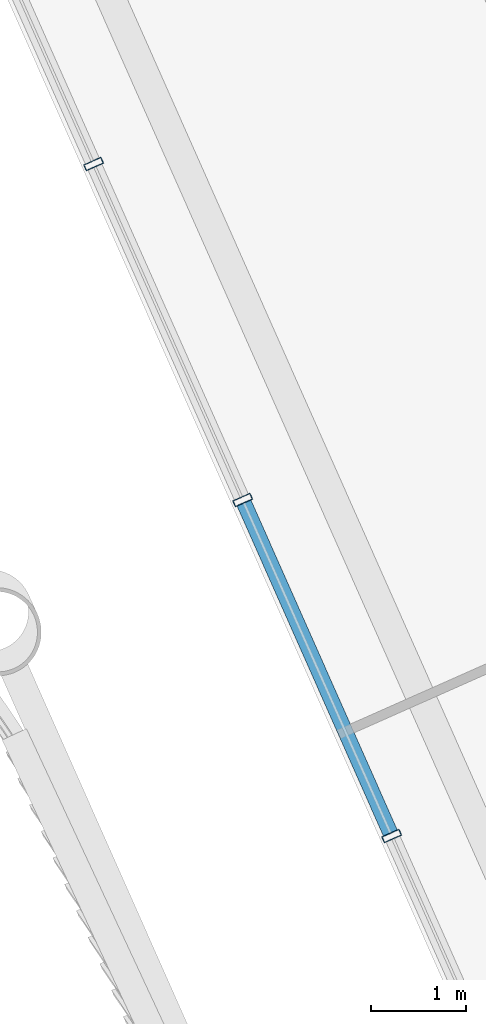
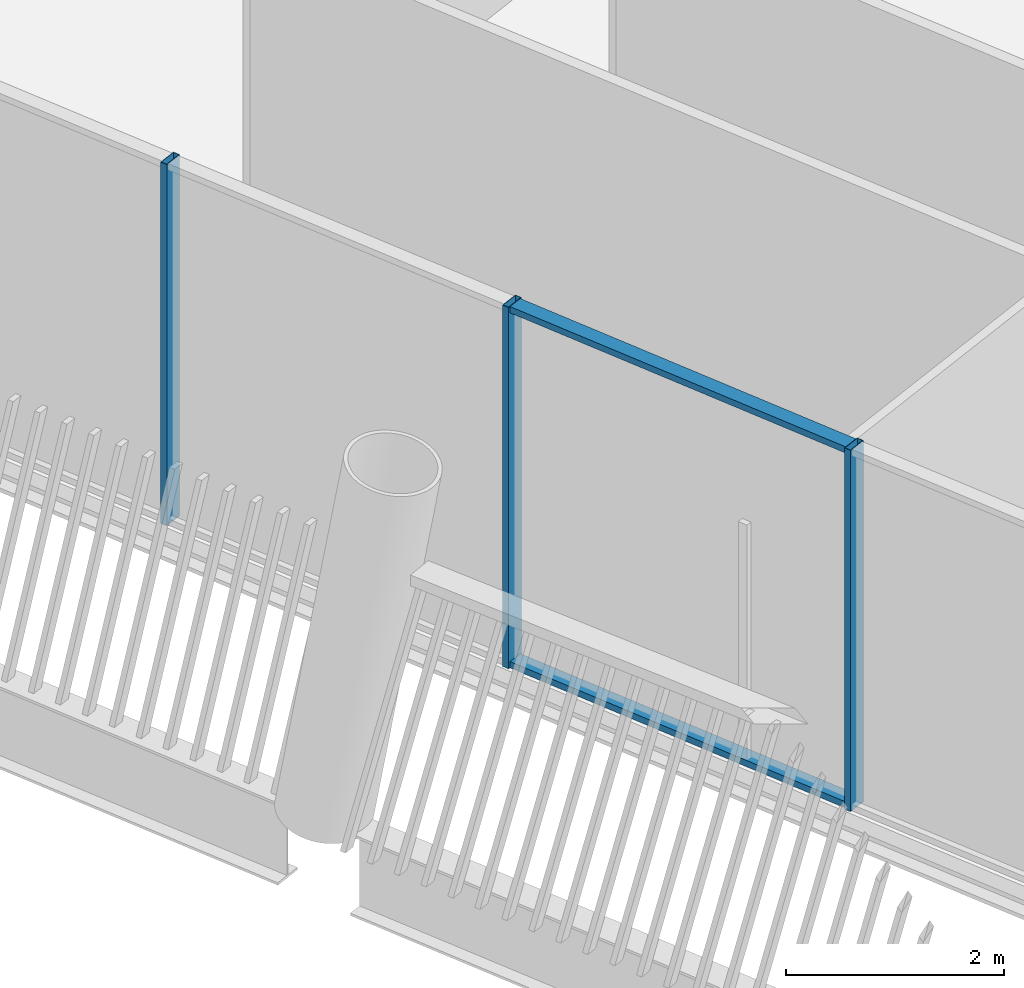
# One storey, part 4 of 28: 5 members, 1 element without a shape of its own.
"""IFC4 building model written with IfcOpenShell, lengths in metres."""

from ifc_helpers import new_model, si_unit, direction, frame, origin, origin_2d, place, context, subcontext, project, spatial, hollow_rectangle, extrude, material, layer, layer_set, material_profile, profile_set, type_object, element, aggregate, save


model = new_model("IFC4")

# Units and contexts
model_context = context("Model", 3, precision=1e-05, world=origin(), true_north=direction((0.0, 1.0)))
body_context = subcontext(model_context, "Body", "Model", "MODEL_VIEW")
ifc_project = project(units=[si_unit("LENGTHUNIT", "METRE"), si_unit("AREAUNIT", "SQUARE_METRE"), si_unit("VOLUMEUNIT", "CUBIC_METRE"), si_unit("PLANEANGLEUNIT", "RADIAN"), si_unit("MASSUNIT", "GRAM", prefix="KILO")], contexts=[model_context])

# Site, building, storey
site_placement = place(None, origin())
site = spatial("IfcSite", under=ifc_project, at=site_placement, CompositionType="ELEMENT")
building_placement = place(site_placement, origin())
building = spatial("IfcBuilding", under=site, at=building_placement, Name="Tarsis Ring Headquarters", CompositionType="ELEMENT")
storey_placement = place(building_placement, frame((0.0, 0.0, 381.800048828125)))
storey = spatial("IfcBuildingStorey", under=building, at=storey_placement, Name="L90", CompositionType="ELEMENT", Elevation=381.800048828125)

# Curtain wall, members
ifc_material_1 = material(Name="Aluminium curtain wall", Category="aluminium")
ifc_layer = layer(ifc_material_1, 0.199951171875)
ifc_layer_set = layer_set([ifc_layer], Name="Curtain wall executive tip")
curtain_wall_type = type_object("IfcCurtainWallType", Name="Curtain wall executive tip", PredefinedType="NOTDEFINED", material=ifc_layer_set)
curtain_wall_placement = place(storey_placement, origin())
curtain_wall = element("IfcCurtainWall", 1, at=curtain_wall_placement, inside=storey, type_object=curtain_wall_type, Name="Curtain wall L90-36", PredefinedType="NOTDEFINED")
ifc_material_2 = material(Name="Aluminium mullion", Category="aluminium")
ifc_material_profile_1 = material_profile(ifc_material_2, hollow_rectangle(XDim=0.199951171875, YDim=0.070068359375, WallThickness=0.0048828125, at=origin_2d()), Name="RHS 200x70x5")
ifc_profile_set_1 = profile_set([ifc_material_profile_1], Name="Aluminium mullion")
member_type_1 = type_object("IfcMemberType", Name="Curtain wall mullion executive tip RHS 200x70x5", PredefinedType="MULLION", material=ifc_profile_set_1)
member_1_placement = place(storey_placement, frame((-38.021484375, -12.62548828125, 0.0), z_axis=(0.0, 0.0, 1.0), x_axis=(0.914112445397, 0.405460771432, 0.0)))
member_1 = element("IfcMember", 2, at=member_1_placement, type_object=member_type_1, Name="CW-E mullion 2", PredefinedType="MULLION", context=body_context, shape_type="SweptSolid", body=[
    extrude(hollow_rectangle(XDim=0.199951171875, YDim=0.070068359375, WallThickness=0.0048828125, at=origin_2d()), origin(), (0.0, 0.0, 1.0), 4.0400390625),
])
member_2_placement = place(storey_placement, frame((-36.4501953125, -16.167724609375, 0.0), z_axis=(0.0, 0.0, 1.0), x_axis=(0.914112445397, 0.405460771432, 0.0)))
member_2 = element("IfcMember", 3, at=member_2_placement, type_object=member_type_1, Name="CW-E mullion 3", PredefinedType="MULLION", context=body_context, shape_type="SweptSolid", body=[
    extrude(hollow_rectangle(XDim=0.199951171875, YDim=0.070068359375, WallThickness=0.0048828125, at=origin_2d()), origin(), (0.0, 0.0, 1.0), 4.0400390625),
])
member_3_placement = place(storey_placement, frame((-34.879150390625, -19.7099609375, 0.0), z_axis=(0.0, 0.0, 1.0), x_axis=(0.914112445397, 0.405460771432, 0.0)))
member_3 = element("IfcMember", 4, at=member_3_placement, type_object=member_type_1, Name="CW-E mullion 4", PredefinedType="MULLION", context=body_context, shape_type="SweptSolid", body=[
    extrude(hollow_rectangle(XDim=0.199951171875, YDim=0.070068359375, WallThickness=0.0048828125, at=origin_2d()), origin(), (0.0, 0.0, 1.0), 4.0400390625),
])
ifc_material_3 = material(Name="Aluminium transom", Category="aluminium")
ifc_material_profile_2 = material_profile(ifc_material_3, hollow_rectangle(XDim=0.159912109375, YDim=0.070068359375, WallThickness=0.0048828125, at=origin_2d()), Name="RHS 160x70x5")
ifc_profile_set_2 = profile_set([ifc_material_profile_2], Name="Aluminium transom")
member_type_2 = type_object("IfcMemberType", Name="Curtain wall transom executive tip RHS 160x70x5", PredefinedType="USERDEFINED", material=ifc_profile_set_2)
member_4_placement = place(storey_placement, frame((-36.43603515625, -16.19970703125, 0.034912109375), z_axis=(0.405441822885, -0.914120849919, 0.0), x_axis=(0.914120849919, 0.405441822885, 0.0)))
member_4 = element("IfcMember", 5, at=member_4_placement, type_object=member_type_2, Name="CW-E transom 3.1", ObjectType="TRANSOM", PredefinedType="USERDEFINED", context=body_context, shape_type="SweptSolid", body=[
    extrude(hollow_rectangle(XDim=0.159912109375, YDim=0.070068359375, WallThickness=0.0048828125, at=origin_2d()), origin(), (0.0, 0.0, 1.0), 3.804931640625),
])
member_5_placement = place(storey_placement, frame((-36.43603515625, -16.19970703125, 4.0048828125), z_axis=(0.405441822885, -0.914120849919, 0.0), x_axis=(0.914120849919, 0.405441822885, 0.0)))
member_5 = element("IfcMember", 6, at=member_5_placement, type_object=member_type_2, Name="CW-E transom 3.2", ObjectType="TRANSOM", PredefinedType="USERDEFINED", context=body_context, shape_type="SweptSolid", body=[
    extrude(hollow_rectangle(XDim=0.159912109375, YDim=0.070068359375, WallThickness=0.0048828125, at=origin_2d()), origin(), (0.0, 0.0, 1.0), 3.804931640625),
])
aggregate(curtain_wall, [member_1, member_2, member_3, member_4, member_5])

save(model, "model.ifc")
